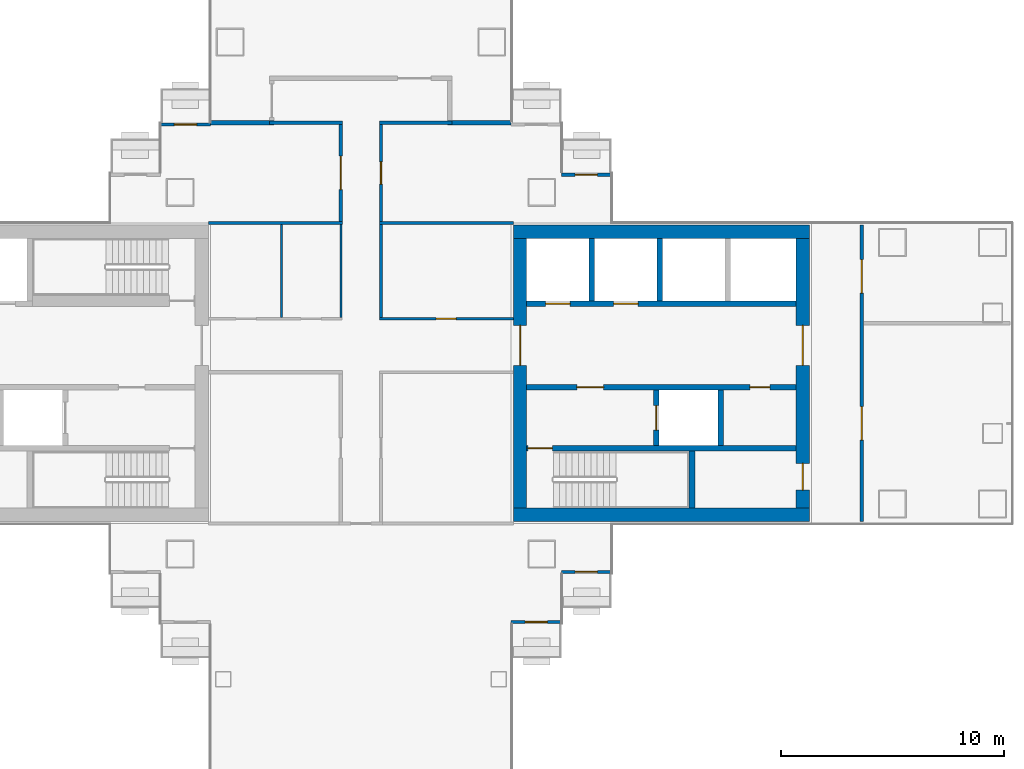
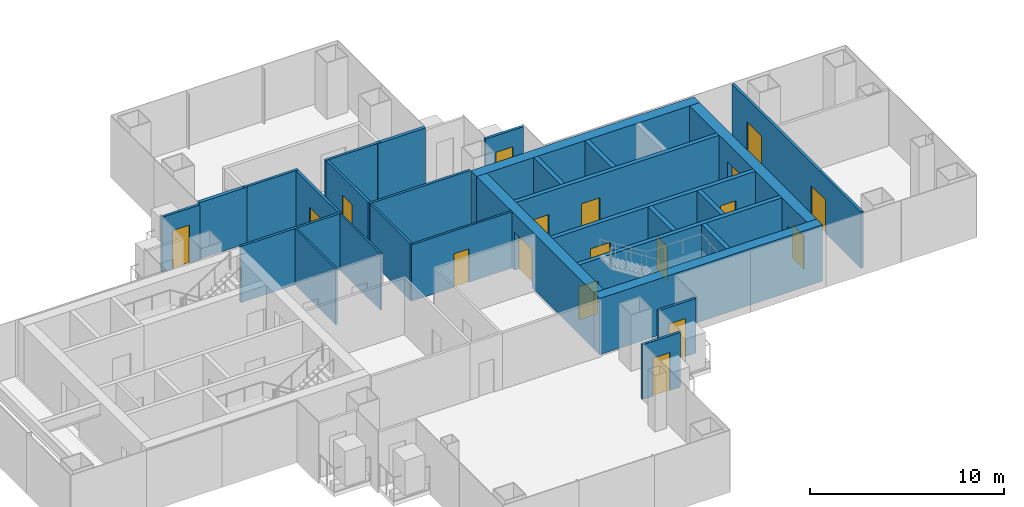
# One storey, part 13 of 20: 29 walls, 18 doors, 18 openings.
"""IFC4 building model written with IfcOpenShell, lengths in metres."""

import ifcopenshell
import ifcopenshell.guid

model = None  # the IFC model being written
_history = None  # IfcOwnerHistory: only IFC2X3 demands one
_inside = {}  # id of a spatial element -> (the spatial element, [elements in it])
_under = {}  # id of a project, library or spatial element -> (it, [spatial elements below it])
_declared = {}  # id of a project -> (the project, [libraries it declares])
_typed = {}  # id of a type object -> (the type object, [elements of that type])
_made_of = {}  # id of a material, layer set ... -> (it, [elements and type objects made of it])


def new_model(schema):
    """Start an empty IFC model of exactly this schema.

    Asked for "IFC4X3", IfcOpenShell would pick the latest addendum, in which some entities
    have other attributes; the version numbers below select the first issue.
    IFC2X3 requires an IfcOwnerHistory on every rooted entity: one is made here for all.
    """
    global model, _history
    if schema == "IFC4X3":
        model = ifcopenshell.file(schema_version=(4, 3, 0, 0))
    else:
        model = ifcopenshell.file(schema=schema)
    _inside.clear()
    _under.clear()
    _declared.clear()
    _typed.clear()
    _made_of.clear()
    _history = None
    if model.schema == "IFC2X3":
        org = make("IfcOrganization", Name="unknown")
        user = make(
            "IfcPersonAndOrganization",
            ThePerson=make("IfcPerson", FamilyName="unknown"),
            TheOrganization=org,
        )
        app = make(
            "IfcApplication",
            ApplicationDeveloper=org,
            Version="unknown",
            ApplicationFullName="unknown",
            ApplicationIdentifier="unknown",
        )
        _history = make(
            "IfcOwnerHistory",
            OwningUser=user,
            OwningApplication=app,
            ChangeAction="ADDED",
            CreationDate=0,
        )
    return model


def make(cls, **values):
    """One entity of the class cls with the attributes given. An attribute that is None is left unset."""
    return model.create_entity(
        cls, **{name: value for name, value in values.items() if value is not None}
    )


def rooted(cls, **values):
    """An entity with a GlobalId (a new one), such as an element, a storey or a relation."""
    return make(cls, GlobalId=ifcopenshell.guid.new(), OwnerHistory=_history, **values)


def si_unit(unit_type, name, prefix=None):
    """IfcSIUnit, for example si_unit("LENGTHUNIT", "METRE", prefix="MILLI")."""
    return make("IfcSIUnit", UnitType=unit_type, Prefix=prefix, Name=name)


def assignment(units):
    """IfcUnitAssignment: the units of a project."""
    return None if units is None else make("IfcUnitAssignment", Units=units)


def point(xyz):
    """IfcCartesianPoint."""
    return None if xyz is None else make("IfcCartesianPoint", Coordinates=xyz)


def direction(xyz):
    """IfcDirection."""
    return None if xyz is None else make("IfcDirection", DirectionRatios=xyz)


def frame(location, z_axis=None, x_axis=None):
    """IfcAxis2Placement3D, a coordinate frame: its origin and axes. An axis left out is left unset."""
    return make(
        "IfcAxis2Placement3D",
        Location=point(location),
        Axis=direction(z_axis),
        RefDirection=direction(x_axis),
    )


def frame_2d(location, x_axis=None):
    """IfcAxis2Placement2D, a coordinate frame in the plane: its origin and x axis."""
    return make(
        "IfcAxis2Placement2D", Location=point(location), RefDirection=direction(x_axis)
    )


def origin():
    """The frame at (0, 0, 0) with its axes left unset."""
    return frame((0.0, 0.0, 0.0))


def place(relative_to, where):
    """IfcLocalPlacement: puts the frame where relative to a parent placement (None: the world)."""
    return make(
        "IfcLocalPlacement", PlacementRelTo=relative_to, RelativePlacement=where
    )


def context(
    kind, dimensions, precision=None, world=None, true_north=None, identifier=None
):
    """IfcGeometricRepresentationContext, for example the 3D "Model" context."""
    return make(
        "IfcGeometricRepresentationContext",
        ContextIdentifier=identifier,
        ContextType=kind,
        CoordinateSpaceDimension=dimensions,
        Precision=precision,
        WorldCoordinateSystem=world,
        TrueNorth=true_north,
    )


def subcontext(parent, identifier, kind, view, scale=None):
    """IfcGeometricRepresentationSubContext, for example "Body" below "Model"."""
    return make(
        "IfcGeometricRepresentationSubContext",
        ContextIdentifier=identifier,
        ContextType=kind,
        ParentContext=parent,
        TargetScale=scale,
        TargetView=view,
    )


def project(units=None, contexts=None):
    """IfcProject with its units and contexts."""
    return rooted(
        "IfcProject",
        Name="project",
        RepresentationContexts=contexts,
        UnitsInContext=assignment(units),
    )


def spatial(cls, under=None, at=None, **own):
    """A site, building, storey or space (cls), placed at a placement, below another one or the project."""
    s = rooted(cls, ObjectPlacement=at, **own)
    if under is not None:
        _under.setdefault(under.id(), (under, []))[1].append(s)
    return s


def profile(cls, at=None, kind="AREA", **sizes):
    """A parametric profile (cls). Its sizes go by their IFC names, for example OverallWidth=200.0."""
    return make(cls, ProfileType=kind, Position=at, **sizes)


def rectangle(**sizes):
    """IfcRectangleProfileDef."""
    return profile("IfcRectangleProfileDef", **sizes)


def extrude(swept, where, along, depth):
    """IfcExtrudedAreaSolid: the profile swept, set in the frame where, extruded along a direction by depth."""
    return make(
        "IfcExtrudedAreaSolid",
        SweptArea=swept,
        Position=where,
        ExtrudedDirection=direction(along),
        Depth=depth,
    )


def shape(context_of_items, identifier, shape_type, items):
    """IfcShapeRepresentation: the items that make up one representation, for example the "Body"."""
    return make(
        "IfcShapeRepresentation",
        ContextOfItems=context_of_items,
        RepresentationIdentifier=identifier,
        RepresentationType=shape_type,
        Items=items,
    )


def material(Name=None, Category=None):
    """IfcMaterial."""
    return make("IfcMaterial", Name=Name, Category=Category)


def layer(
    of_material, thickness, ventilated=None, Name=None, Category=None, Priority=None
):
    """IfcMaterialLayer: one layer of a wall or slab, of a material (None: an air gap)."""
    return make(
        "IfcMaterialLayer",
        Material=of_material,
        LayerThickness=thickness,
        IsVentilated=ventilated,
        Name=Name,
        Category=Category,
        Priority=Priority,
    )


def layer_set(layers, Name=None):
    """IfcMaterialLayerSet."""
    return make("IfcMaterialLayerSet", MaterialLayers=layers, LayerSetName=Name)


def made_of(thing, what):
    """Note that an element or type object is made of a material, layer set ...; save() writes the relation."""
    if what is not None:
        _made_of.setdefault(what.id(), (what, []))[1].append(thing)
    return thing


def type_object(cls, material=None, **own):
    """A type object (cls), such as IfcWallType, which elements share."""
    return made_of(rooted(cls, **own), material)


def element(
    cls,
    number,
    at=None,
    inside=None,
    cuts=None,
    type_object=None,
    material=None,
    context=None,
    identifier="Body",
    shape_type=None,
    held_by="IfcProductDefinitionShape",
    body=None,
    shapes=None,
    **own,
):
    """One element of the class cls, such as IfcWall. Its Tag is "e" and its number.

    at: its placement. inside: the storey or other place that contains it. cuts: it is an
    opening in that element (IfcRelVoidsElement). A single representation is given by context,
    identifier, shape_type and body (its items); several are given by shapes. held_by: the class
    of the entity that holds the representations. save() writes the other relations.
    """
    e = rooted(cls, Tag="e%d" % number, ObjectPlacement=at, **own)
    if body is not None:
        shapes = [shape(context, identifier, shape_type, body)]
    if shapes is not None:
        e.Representation = make(held_by, Representations=shapes)
    if inside is not None:
        _inside.setdefault(inside.id(), (inside, []))[1].append(e)
    if cuts is not None:
        rooted(
            "IfcRelVoidsElement", RelatingBuildingElement=cuts, RelatedOpeningElement=e
        )
    if type_object is not None:
        _typed.setdefault(type_object.id(), (type_object, []))[1].append(e)
    return made_of(e, material)


def fill(opening, filler):
    """IfcRelFillsElement: the door or window that sits in an opening."""
    return rooted(
        "IfcRelFillsElement",
        RelatingOpeningElement=opening,
        RelatedBuildingElement=filler,
    )


def aggregate(whole, parts):
    """IfcRelAggregates: a whole, such as a stair, and the parts it consists of."""
    return rooted("IfcRelAggregates", RelatingObject=whole, RelatedObjects=parts)


def save(model, path):
    """Write the relations noted so far, then the file.

    IfcRelAggregates (storeys below a building ...), IfcRelContainedInSpatialStructure (elements
    in a storey), IfcRelDefinesByType, IfcRelAssociatesMaterial and IfcRelDeclares: one each for
    every whole, place, type object, material and project.
    """
    for whole, parts in _under.values():
        aggregate(whole, parts)
    for where, things in _inside.values():
        rooted(
            "IfcRelContainedInSpatialStructure",
            RelatedElements=things,
            RelatingStructure=where,
        )
    for kind, things in _typed.values():
        rooted("IfcRelDefinesByType", RelatedObjects=things, RelatingType=kind)
    for what, things in _made_of.values():
        rooted("IfcRelAssociatesMaterial", RelatedObjects=things, RelatingMaterial=what)
    for by, libraries in _declared.values():
        rooted("IfcRelDeclares", RelatingContext=by, RelatedDefinitions=libraries)
    model.write(path)


model = new_model("IFC4")

# Units and contexts
model_context = context("Model", 3, precision=1e-05, world=origin(), true_north=direction((0.0, 1.0)))
body_context = subcontext(model_context, "Body", "Model", "MODEL_VIEW")
ifc_project = project(units=[si_unit("LENGTHUNIT", "METRE"), si_unit("AREAUNIT", "SQUARE_METRE"), si_unit("VOLUMEUNIT", "CUBIC_METRE"), si_unit("PLANEANGLEUNIT", "RADIAN"), si_unit("MASSUNIT", "GRAM", prefix="KILO")], contexts=[model_context])

# Site, building, storey
site_placement = place(None, origin())
site = spatial("IfcSite", under=ifc_project, at=site_placement, CompositionType="ELEMENT")
building_placement = place(site_placement, origin())
building = spatial("IfcBuilding", under=site, at=building_placement, Name="Shamsa Quay Exchange Towers", CompositionType="ELEMENT")
storey_placement = place(building_placement, frame((0.0, 0.0, 120.89990234375)))
storey = spatial("IfcBuildingStorey", under=building, at=storey_placement, Name="L28", CompositionType="ELEMENT", Elevation=120.89990234375)

# Walls
ifc_material_1 = material(Name="Double-leaf gypsum board partition with acoustic insulation")
ifc_layer_1 = layer(ifc_material_1, 0.199951171875)
ifc_layer_set_1 = layer_set([ifc_layer_1], Name="Acoustic partition 200 mm EI 60")
wall_type_1 = type_object("IfcWallType", Name="Acoustic partition 200 mm EI 60", PredefinedType="PARTITIONING", material=ifc_layer_set_1)
for number, where, z_axis, x_axis, name in (
    (1, (-27.0, 11.25, 0.0), (0.0, 0.0, 1.0), (-1.0, 0.0, 0.0), "Partition T1-R13-W23"),
    (2, (-37.64990234375, 11.25, 0.0), (0.0, 0.0, 1.0), (-1.0, 0.0, 0.0), "Partition T1-R13-W24"),
):
    element("IfcWall", number, at=place(storey_placement, frame(where, z_axis=z_axis, x_axis=x_axis)), inside=storey, type_object=wall_type_1, Name=name, PredefinedType="PARTITIONING", context=body_context, shape_type="SweptSolid", body=[
        extrude(rectangle(XDim=2.85009765625, YDim=0.199951171875, at=frame_2d((1.425048828125, 0.0))), origin(), (0.0, 0.0, 1.0), 3.550048828125),
    ])

# Wall, opening, door
ifc_material_2 = material(Name="Aluminium EN AW-6063 T6, black anodised, with black enamelled glass infill", Category="aluminium")
ifc_layer_2 = layer(ifc_material_2, 0.14990234375)
ifc_layer_set_2 = layer_set([ifc_layer_2], Name="BALCONY DOOR BAY WALL 150")
wall_type_2 = type_object("IfcWallType", Name="BALCONY DOOR BAY WALL 150", PredefinedType="SOLIDWALL", material=ifc_layer_set_2)
wall_1_placement = place(storey_placement, frame((-24.75, 8.925048828125, 0.0)))
wall_1 = element("IfcWall", 3, at=wall_1_placement, inside=storey, type_object=wall_type_2, Name="Door bay T1-PKEN L28", PredefinedType="SOLIDWALL", context=body_context, shape_type="SweptSolid", body=[
    extrude(rectangle(XDim=2.25, YDim=0.14990234375, at=frame_2d((1.125, 0.0))), origin(), (0.0, 0.0, 1.0), 3.4501953125),
])
opening_1_placement = place(wall_1_placement, frame((0.625, 0.0, 0.0)))
opening_1 = element("IfcOpeningElement", 4, at=opening_1_placement, cuts=wall_1, Name="Opening XD169", PredefinedType="OPENING", context=body_context, shape_type="SweptSolid", body=[
    extrude(rectangle(XDim=1.0, YDim=2.39990234375, at=frame_2d((0.5, 1.199951171875))), frame((0.0, 0.0849609375, 0.0), z_axis=(0.0, -1.0, 0.0), x_axis=(1.0, 0.0, 0.0)), (0.0, 0.0, 1.0), 0.169921875),
])
ifc_material_3 = material(Name="Aluminium EN AW-6063 T6, black anodised, with laminated glass leaf", Category="aluminium")
door_type_1 = type_object("IfcDoorType", Name="BALCONY DOOR 1000x2400", OperationType="SINGLE_SWING_LEFT", PredefinedType="DOOR", material=ifc_material_3)
door_1_placement = place(opening_1_placement, origin())
door_1 = element("IfcDoor", 5, at=door_1_placement, inside=storey, type_object=door_type_1, Name="Balcony door T1-PKEN L28", OperationType="SINGLE_SWING_RIGHT", OverallHeight=2.39990234375, OverallWidth=1.0, PredefinedType="DOOR", context=body_context, shape_type="SweptSolid", body=[
    extrude(rectangle(XDim=1.0, YDim=2.39990234375, at=frame_2d((0.5, 1.199951171875))), frame((0.0, 0.02490234375, 0.0), z_axis=(0.0, -1.0, 0.0), x_axis=(1.0, 0.0, 0.0)), (0.0, 0.0, 1.0), 0.050048828125),
])
fill(opening_1, door_1)

wall_2_placement = place(storey_placement, frame((-22.5, -8.925048828125, 0.0), z_axis=(0.0, 0.0, 1.0), x_axis=(-1.0, 0.0, 0.0)))
wall_2 = element("IfcWall", 6, at=wall_2_placement, inside=storey, type_object=wall_type_2, Name="Door bay T1-PKES L28", PredefinedType="SOLIDWALL", context=body_context, shape_type="SweptSolid", body=[
    extrude(rectangle(XDim=2.25, YDim=0.14990234375, at=frame_2d((1.125, 0.0))), origin(), (0.0, 0.0, 1.0), 3.4501953125),
])
opening_2_placement = place(wall_2_placement, frame((0.625, 0.0, 0.0)))
opening_2 = element("IfcOpeningElement", 7, at=opening_2_placement, cuts=wall_2, Name="Opening XD171", PredefinedType="OPENING", context=body_context, shape_type="SweptSolid", body=[
    extrude(rectangle(XDim=1.0, YDim=2.39990234375, at=frame_2d((0.5, 1.199951171875))), frame((0.0, 0.0849609375, 0.0), z_axis=(0.0, -1.0, 0.0), x_axis=(1.0, 0.0, 0.0)), (0.0, 0.0, 1.0), 0.169921875),
])
door_2_placement = place(opening_2_placement, origin())
door_2 = element("IfcDoor", 8, at=door_2_placement, inside=storey, type_object=door_type_1, Name="Balcony door T1-PKES L28", OperationType="SINGLE_SWING_RIGHT", OverallHeight=2.39990234375, OverallWidth=1.0, PredefinedType="DOOR", context=body_context, shape_type="SweptSolid", body=[
    extrude(rectangle(XDim=1.0, YDim=2.39990234375, at=frame_2d((0.5, 1.199951171875))), frame((0.0, 0.02490234375, 0.0), z_axis=(0.0, -1.0, 0.0), x_axis=(1.0, 0.0, 0.0)), (0.0, 0.0, 1.0), 0.050048828125),
])
fill(opening_2, door_2)

wall_3_placement = place(storey_placement, frame((-24.75, -11.175048828125, 0.0), z_axis=(0.0, 0.0, 1.0), x_axis=(-1.0, 0.0, 0.0)))
wall_3 = element("IfcWall", 9, at=wall_3_placement, inside=storey, type_object=wall_type_2, Name="Door bay T1-PKES L28", PredefinedType="SOLIDWALL", context=body_context, shape_type="SweptSolid", body=[
    extrude(rectangle(XDim=2.25, YDim=0.14990234375, at=frame_2d((1.125, 0.0))), origin(), (0.0, 0.0, 1.0), 3.4501953125),
])
opening_3_placement = place(wall_3_placement, frame((0.625, 0.0, 0.0)))
opening_3 = element("IfcOpeningElement", 10, at=opening_3_placement, cuts=wall_3, Name="Opening XD172", PredefinedType="OPENING", context=body_context, shape_type="SweptSolid", body=[
    extrude(rectangle(XDim=1.0, YDim=2.39990234375, at=frame_2d((0.5, 1.199951171875))), frame((0.0, 0.0849609375, 0.0), z_axis=(0.0, -1.0, 0.0), x_axis=(1.0, 0.0, 0.0)), (0.0, 0.0, 1.0), 0.169921875),
])
door_3_placement = place(opening_3_placement, origin())
door_3 = element("IfcDoor", 11, at=door_3_placement, inside=storey, type_object=door_type_1, Name="Balcony door T1-PKES L28", OperationType="SINGLE_SWING_LEFT", OverallHeight=2.39990234375, OverallWidth=1.0, PredefinedType="DOOR", context=body_context, shape_type="SweptSolid", body=[
    extrude(rectangle(XDim=1.0, YDim=2.39990234375, at=frame_2d((0.5, 1.199951171875))), frame((0.0, 0.02490234375, 0.0), z_axis=(0.0, -1.0, 0.0), x_axis=(1.0, 0.0, 0.0)), (0.0, 0.0, 1.0), 0.050048828125),
])
fill(opening_3, door_3)

wall_4_placement = place(storey_placement, frame((-42.75, 11.175048828125, 0.0)))
wall_4 = element("IfcWall", 12, at=wall_4_placement, inside=storey, type_object=wall_type_2, Name="Door bay T1-PKWN L28", PredefinedType="SOLIDWALL", context=body_context, shape_type="SweptSolid", body=[
    extrude(rectangle(XDim=2.25, YDim=0.14990234375, at=frame_2d((1.125, 0.0))), origin(), (0.0, 0.0, 1.0), 3.4501953125),
])
opening_4_placement = place(wall_4_placement, frame((0.625, 0.0, 0.0)))
opening_4 = element("IfcOpeningElement", 13, at=opening_4_placement, cuts=wall_4, Name="Opening XD173", PredefinedType="OPENING", context=body_context, shape_type="SweptSolid", body=[
    extrude(rectangle(XDim=1.0, YDim=2.39990234375, at=frame_2d((0.5, 1.199951171875))), frame((0.0, 0.0849609375, 0.0), z_axis=(0.0, -1.0, 0.0), x_axis=(1.0, 0.0, 0.0)), (0.0, 0.0, 1.0), 0.169921875),
])
door_4_placement = place(opening_4_placement, origin())
door_4 = element("IfcDoor", 14, at=door_4_placement, inside=storey, type_object=door_type_1, Name="Balcony door T1-PKWN L28", OperationType="SINGLE_SWING_LEFT", OverallHeight=2.39990234375, OverallWidth=1.0, PredefinedType="DOOR", context=body_context, shape_type="SweptSolid", body=[
    extrude(rectangle(XDim=1.0, YDim=2.39990234375, at=frame_2d((0.5, 1.199951171875))), frame((0.0, 0.02490234375, 0.0), z_axis=(0.0, -1.0, 0.0), x_axis=(1.0, 0.0, 0.0)), (0.0, 0.0, 1.0), 0.050048828125),
])
fill(opening_4, door_4)

# Walls
ifc_material_4 = material(Name="Concrete C70/85", Category="concrete")
ifc_layer_3 = layer(ifc_material_4, 0.60009765625)
ifc_layer_set_3 = layer_set([ifc_layer_3], Name="CORE WALL 600 C70/85")
wall_type_3 = type_object("IfcWallType", Name="CORE WALL 600 C70/85", PredefinedType="SHEAR", material=ifc_layer_set_3)
for number, where, name in (
    (15, (-26.89990234375, -6.35009765625, 0.0), "Core wall T1A-R13-PS"),
    (16, (-26.89990234375, 6.35009765625, 0.0), "Core wall T1A-R13-PN"),
):
    element("IfcWall", number, at=place(storey_placement, frame(where)), inside=storey, type_object=wall_type_3, Name=name, PredefinedType="SHEAR", context=body_context, shape_type="SweptSolid", body=[
        extrude(rectangle(XDim=13.2998046875, YDim=0.60009765625, at=frame_2d((6.64990234375, 0.0))), origin(), (0.0, 0.0, 1.0), 3.550048828125),
    ])

# Wall, opening, door
wall_5_placement = place(storey_placement, frame((-26.60009765625, 6.050048828125, 0.0), z_axis=(0.0, 0.0, 1.0), x_axis=(0.0, -1.0, 0.0)))
wall_5 = element("IfcWall", 17, at=wall_5_placement, inside=storey, type_object=wall_type_3, Name="Core wall T1A-R13-PF", PredefinedType="SHEAR", context=body_context, shape_type="SweptSolid", body=[
    extrude(rectangle(XDim=12.10009765625, YDim=0.60009765625, at=frame_2d((6.050048828125, 0.0))), origin(), (0.0, 0.0, 1.0), 3.550048828125),
])
opening_5_placement = place(wall_5_placement, frame((3.89990234375, 0.0, 0.0)))
opening_5 = element("IfcOpeningElement", 18, at=opening_5_placement, cuts=wall_5, Name="Opening T1A-R13-LBD01", PredefinedType="OPENING", context=body_context, shape_type="SweptSolid", body=[
    extrude(rectangle(XDim=1.800048828125, YDim=2.39990234375, at=frame_2d((0.89990234375, 1.199951171875))), frame((0.0, 0.31005859375, 0.0), z_axis=(0.0, -1.0, 0.0), x_axis=(1.0, 0.0, 0.0)), (0.0, 0.0, 1.0), 0.6201171875),
])
ifc_material_5 = material(Name="Steel, fire rated", Category="steel")
door_type_2 = type_object("IfcDoorType", Name="LIFT LOBBY DOOR PAIR 1800", OperationType="DOUBLE_DOOR_SINGLE_SWING", PredefinedType="DOOR", material=ifc_material_5)
door_5_placement = place(opening_5_placement, origin())
door_5 = element("IfcDoor", 19, at=door_5_placement, inside=storey, type_object=door_type_2, Name="T1A-R13-LBD01", OperationType="DOUBLE_DOOR_SINGLE_SWING", OverallHeight=2.39990234375, OverallWidth=1.800048828125, PredefinedType="DOOR", context=body_context, shape_type="SweptSolid", body=[
    extrude(rectangle(XDim=1.800048828125, YDim=2.39990234375, at=frame_2d((0.89990234375, 1.199951171875))), frame((0.0, 0.02490234375, 0.0), z_axis=(0.0, -1.0, 0.0), x_axis=(1.0, 0.0, 0.0)), (0.0, 0.0, 1.0), 0.050048828125),
])
fill(opening_5, door_5)

# Wall, openings, doors
wall_6_placement = place(storey_placement, frame((-13.89990234375, 6.050048828125, 0.0), z_axis=(0.0, 0.0, 1.0), x_axis=(0.0, -1.0, 0.0)))
wall_6 = element("IfcWall", 20, at=wall_6_placement, inside=storey, type_object=wall_type_3, Name="Core wall T1A-R13-PB", PredefinedType="SHEAR", context=body_context, shape_type="SweptSolid", body=[
    extrude(rectangle(XDim=12.10009765625, YDim=0.60009765625, at=frame_2d((6.050048828125, 0.0))), origin(), (0.0, 0.0, 1.0), 3.550048828125),
])
opening_6_placement = place(wall_6_placement, frame((10.10009765625, 0.0, 0.0)))
opening_6 = element("IfcOpeningElement", 21, at=opening_6_placement, cuts=wall_6, Name="Opening T1A-R13-RD02", PredefinedType="OPENING", context=body_context, shape_type="SweptSolid", body=[
    extrude(rectangle(XDim=1.199951171875, YDim=2.10009765625, at=frame_2d((0.60009765625, 1.050048828125))), frame((0.0, 0.31005859375, 0.0), z_axis=(0.0, -1.0, 0.0), x_axis=(1.0, 0.0, 0.0)), (0.0, 0.0, 1.0), 0.6201171875),
])
opening_7_placement = place(wall_6_placement, frame((3.89990234375, 0.0, 0.0)))
opening_7 = element("IfcOpeningElement", 22, at=opening_7_placement, cuts=wall_6, Name="Opening T1A-R13-LBD03", PredefinedType="OPENING", context=body_context, shape_type="SweptSolid", body=[
    extrude(rectangle(XDim=1.800048828125, YDim=2.39990234375, at=frame_2d((0.89990234375, 1.199951171875))), frame((0.0, 0.31005859375, 0.0), z_axis=(0.0, -1.0, 0.0), x_axis=(1.0, 0.0, 0.0)), (0.0, 0.0, 1.0), 0.6201171875),
])
door_6_placement = place(opening_7_placement, origin())
door_6 = element("IfcDoor", 23, at=door_6_placement, inside=storey, type_object=door_type_2, Name="T1A-R13-LBD03", OperationType="DOUBLE_DOOR_SINGLE_SWING", OverallHeight=2.39990234375, OverallWidth=1.800048828125, PredefinedType="DOOR", context=body_context, shape_type="SweptSolid", body=[
    extrude(rectangle(XDim=1.800048828125, YDim=2.39990234375, at=frame_2d((0.89990234375, 1.199951171875))), frame((0.0, 0.02490234375, 0.0), z_axis=(0.0, -1.0, 0.0), x_axis=(1.0, 0.0, 0.0)), (0.0, 0.0, 1.0), 0.050048828125),
])
fill(opening_7, door_6)
door_type_3 = type_object("IfcDoorType", Name="RISER ACCESS DOOR 1200", OperationType="SINGLE_SWING_LEFT", PredefinedType="DOOR", material=ifc_material_5)
door_7_placement = place(opening_6_placement, origin())
door_7 = element("IfcDoor", 24, at=door_7_placement, inside=storey, type_object=door_type_3, Name="T1A-R13-RD02", OperationType="SINGLE_SWING_RIGHT", OverallHeight=2.10009765625, OverallWidth=1.199951171875, PredefinedType="DOOR", context=body_context, shape_type="SweptSolid", body=[
    extrude(rectangle(XDim=1.199951171875, YDim=2.10009765625, at=frame_2d((0.60009765625, 1.050048828125))), frame((0.0, 0.02490234375, 0.0), z_axis=(0.0, -1.0, 0.0), x_axis=(1.0, 0.0, 0.0)), (0.0, 0.0, 1.0), 0.050048828125),
])
fill(opening_6, door_7)

# Wall
ifc_material_6 = material(Name="Laminated fire-resisting glass in a metal frame", Category="glass")
ifc_layer_4 = layer(ifc_material_6, 0.125)
ifc_layer_set_4 = layer_set([ifc_layer_4], Name="Glazed partition 125 mm EI 60")
wall_type_4 = type_object("IfcWallType", Name="Glazed partition 125 mm EI 60", PredefinedType="PARTITIONING", material=ifc_layer_set_4)
wall_7_placement = place(storey_placement, frame((-32.849609375, 6.675048828125, 0.0), z_axis=(0.0, 0.0, 1.0), x_axis=(0.0, -1.0, 0.0)))
element("IfcWall", 25, at=wall_7_placement, inside=storey, type_object=wall_type_4, Name="Partition T1-R13-W01", PredefinedType="PARTITIONING", context=body_context, shape_type="SweptSolid", body=[
    extrude(rectangle(XDim=4.162353515625, YDim=0.125, at=frame_2d((2.0810546875, 0.0))), origin(), (0.0, 0.0, 1.0), 3.550048828125),
])

# Wall, opening, door
wall_8_placement = place(storey_placement, frame((-32.912109375, 2.4501953125, 0.0)))
wall_8 = element("IfcWall", 26, at=wall_8_placement, inside=storey, type_object=wall_type_4, Name="Partition T1-R13-W03", PredefinedType="PARTITIONING", context=body_context, shape_type="SweptSolid", body=[
    extrude(rectangle(XDim=6.01220703125, YDim=0.125, at=frame_2d((3.006103515625, 0.0))), origin(), (0.0, 0.0, 1.0), 3.550048828125),
])
opening_8_placement = place(wall_8_placement, frame((2.537353515625, 0.0, 0.0)))
opening_8 = element("IfcOpeningElement", 27, at=opening_8_placement, cuts=wall_8, Name="Opening T1-R13-D08", PredefinedType="OPENING", context=body_context, shape_type="SweptSolid", body=[
    extrude(rectangle(XDim=0.89990234375, YDim=2.10009765625, at=frame_2d((0.449951171875, 1.050048828125))), frame((0.0, 0.072509765625, 0.0), z_axis=(0.0, -1.0, 0.0), x_axis=(1.0, 0.0, 0.0)), (0.0, 0.0, 1.0), 0.14501953125),
])
ifc_material_7 = material(Name="Timber door leaf in a metal frame", Category="wood")
door_type_4 = type_object("IfcDoorType", Name="Door 900x2100 FD30S", OperationType="NOTDEFINED", PredefinedType="DOOR", material=ifc_material_7)
door_8_placement = place(opening_8_placement, origin())
door_8 = element("IfcDoor", 28, at=door_8_placement, inside=storey, type_object=door_type_4, Name="Door T1-R13-D08", OperationType="SINGLE_SWING_RIGHT", OverallHeight=2.10009765625, OverallWidth=0.89990234375, PredefinedType="DOOR", context=body_context, shape_type="SweptSolid", body=[
    extrude(rectangle(XDim=0.89990234375, YDim=2.10009765625, at=frame_2d((0.449951171875, 1.050048828125))), frame((0.0, 0.02490234375, 0.0), z_axis=(0.0, -1.0, 0.0), x_axis=(1.0, 0.0, 0.0)), (0.0, 0.0, 1.0), 0.050048828125),
])
fill(opening_8, door_8)

# Walls
ifc_material_8 = material(Name="Gypsum board partition on metal studs")
ifc_layer_5 = layer(ifc_material_8, 0.10009765625)
ifc_layer_set_5 = layer_set([ifc_layer_5], Name="Partition 100 mm NOT RATED")
wall_type_5 = type_object("IfcWallType", Name="Partition 100 mm NOT RATED", PredefinedType="PARTITIONING", material=ifc_layer_set_5)
for number, where, z_axis, x_axis, name in (
    (29, (-34.650390625, 2.500244140625, 0.0), (0.0, 0.0, 1.0), (0.0, 1.0, 0.0), "Partition T1-R13-W06"),
    (30, (-37.3125, 2.500244140625, 0.0), (0.0, 0.0, 1.0), (0.0, 1.0, 0.0), "Partition T1-R13-W22"),
):
    element("IfcWall", number, at=place(storey_placement, frame(where, z_axis=z_axis, x_axis=x_axis)), inside=storey, type_object=wall_type_5, Name=name, PredefinedType="PARTITIONING", context=body_context, shape_type="SweptSolid", body=[
        extrude(rectangle(XDim=4.1748046875, YDim=0.10009765625, at=frame_2d((2.08740234375, 0.0))), origin(), (0.0, 0.0, 1.0), 3.550048828125),
    ])

# Wall, opening, door
ifc_layer_6 = layer(ifc_material_8, 0.14990234375)
ifc_layer_set_6 = layer_set([ifc_layer_6], Name="Partition 150 mm EI 60")
wall_type_6 = type_object("IfcWallType", Name="Partition 150 mm EI 60", PredefinedType="PARTITIONING", material=ifc_layer_set_6)
wall_9_placement = place(storey_placement, frame((-34.650390625, 6.824951171875, 0.0), z_axis=(0.0, 0.0, 1.0), x_axis=(0.0, 1.0, 0.0)))
wall_9 = element("IfcWall", 31, at=wall_9_placement, inside=storey, type_object=wall_type_6, Name="Partition T1-R13-W08", PredefinedType="PARTITIONING", context=body_context, shape_type="SweptSolid", body=[
    extrude(rectangle(XDim=4.35009765625, YDim=0.14990234375, at=frame_2d((2.175048828125, 0.0))), origin(), (0.0, 0.0, 1.0), 3.550048828125),
])
opening_9_placement = place(wall_9_placement, frame((1.425048828125, 0.0, 0.0)))
opening_9 = element("IfcOpeningElement", 32, at=opening_9_placement, cuts=wall_9, Name="Opening T1-R13-D05", PredefinedType="OPENING", context=body_context, shape_type="SweptSolid", body=[
    extrude(rectangle(XDim=1.5, YDim=2.10009765625, at=frame_2d((0.75, 1.050048828125))), frame((0.0, 0.0849609375, 0.0), z_axis=(0.0, -1.0, 0.0), x_axis=(1.0, 0.0, 0.0)), (0.0, 0.0, 1.0), 0.169921875),
])
door_type_5 = type_object("IfcDoorType", Name="Door 1500x2100 FD30S pair", OperationType="NOTDEFINED", PredefinedType="DOOR", material=ifc_material_7)
door_9_placement = place(opening_9_placement, origin())
door_9 = element("IfcDoor", 33, at=door_9_placement, inside=storey, type_object=door_type_5, Name="Door T1-R13-D05", OperationType="DOUBLE_DOOR_SINGLE_SWING", OverallHeight=2.10009765625, OverallWidth=1.5, PredefinedType="DOOR", context=body_context, shape_type="SweptSolid", body=[
    extrude(rectangle(XDim=1.5, YDim=2.10009765625, at=frame_2d((0.75, 1.050048828125))), frame((0.0, 0.02490234375, 0.0), z_axis=(0.0, -1.0, 0.0), x_axis=(1.0, 0.0, 0.0)), (0.0, 0.0, 1.0), 0.050048828125),
])
fill(opening_9, door_9)

# Walls
for number, where, z_axis, x_axis, name in (
    (34, (-29.64990234375, 11.25, 0.0), (0.0, 0.0, 1.0), (-1.0, 0.0, 0.0), "Partition T1-R13-W10"),
    (35, (-34.575439453125, 11.25, 0.0), (0.0, 0.0, 1.0), (-1.0, 0.0, 0.0), "Partition T1-R13-W11"),
):
    element("IfcWall", number, at=place(storey_placement, frame(where, z_axis=z_axis, x_axis=x_axis)), inside=storey, type_object=wall_type_6, Name=name, PredefinedType="PARTITIONING", context=body_context, shape_type="SweptSolid", body=[
        extrude(rectangle(XDim=3.274658203125, YDim=0.14990234375, at=frame_2d((1.63720703125, 0.0))), origin(), (0.0, 0.0, 1.0), 3.550048828125),
    ])

# Wall, opening, door
wall_10_placement = place(storey_placement, frame((-32.849609375, 11.175048828125, 0.0), z_axis=(0.0, 0.0, 1.0), x_axis=(0.0, -1.0, 0.0)))
wall_10 = element("IfcWall", 36, at=wall_10_placement, inside=storey, type_object=wall_type_6, Name="Partition T1-R13-W12", PredefinedType="PARTITIONING", context=body_context, shape_type="SweptSolid", body=[
    extrude(rectangle(XDim=4.35009765625, YDim=0.14990234375, at=frame_2d((2.175048828125, 0.0))), origin(), (0.0, 0.0, 1.0), 3.550048828125),
])
opening_10_placement = place(wall_10_placement, frame((1.675048828125, 0.0, 0.0)))
opening_10 = element("IfcOpeningElement", 37, at=opening_10_placement, cuts=wall_10, Name="Opening T1-R13-D09", PredefinedType="OPENING", context=body_context, shape_type="SweptSolid", body=[
    extrude(rectangle(XDim=1.0, YDim=2.39990234375, at=frame_2d((0.5, 1.199951171875))), frame((0.0, 0.0849609375, 0.0), z_axis=(0.0, -1.0, 0.0), x_axis=(1.0, 0.0, 0.0)), (0.0, 0.0, 1.0), 0.169921875),
])
door_type_6 = type_object("IfcDoorType", Name="Door 1000x2400 FD30S", OperationType="NOTDEFINED", PredefinedType="DOOR", material=ifc_material_7)
door_10_placement = place(opening_10_placement, origin())
door_10 = element("IfcDoor", 38, at=door_10_placement, inside=storey, type_object=door_type_6, Name="Door T1-R13-D09", OperationType="SINGLE_SWING_LEFT", OverallHeight=2.39990234375, OverallWidth=1.0, PredefinedType="DOOR", context=body_context, shape_type="SweptSolid", body=[
    extrude(rectangle(XDim=1.0, YDim=2.39990234375, at=frame_2d((0.5, 1.199951171875))), frame((0.0, 0.02490234375, 0.0), z_axis=(0.0, -1.0, 0.0), x_axis=(1.0, 0.0, 0.0)), (0.0, 0.0, 1.0), 0.050048828125),
])
fill(opening_10, door_10)

# Wall, openings, doors
wall_11_placement = place(storey_placement, frame((-11.25, 6.655029296875, 0.0), z_axis=(0.0, 0.0, 1.0), x_axis=(0.0, -1.0, 0.0)))
wall_11 = element("IfcWall", 39, at=wall_11_placement, inside=storey, type_object=wall_type_6, Name="Partition T1-R13-W17", PredefinedType="PARTITIONING", context=body_context, shape_type="SweptSolid", body=[
    extrude(rectangle(XDim=13.31005859375, YDim=0.14990234375, at=frame_2d((6.655029296875, 0.0))), origin(), (0.0, 0.0, 1.0), 3.550048828125),
])
opening_11_placement = place(wall_11_placement, frame((1.554931640625, 0.0, 0.0)))
opening_11 = element("IfcOpeningElement", 40, at=opening_11_placement, cuts=wall_11, Name="Opening T1-R13-D11", PredefinedType="OPENING", context=body_context, shape_type="SweptSolid", body=[
    extrude(rectangle(XDim=1.5, YDim=2.10009765625, at=frame_2d((0.75, 1.050048828125))), frame((0.0, 0.0849609375, 0.0), z_axis=(0.0, -1.0, 0.0), x_axis=(1.0, 0.0, 0.0)), (0.0, 0.0, 1.0), 0.169921875),
])
opening_12_placement = place(wall_11_placement, frame((8.155029296875, 0.0, 0.0)))
opening_12 = element("IfcOpeningElement", 41, at=opening_12_placement, cuts=wall_11, Name="Opening T1-R13-D12", PredefinedType="OPENING", context=body_context, shape_type="SweptSolid", body=[
    extrude(rectangle(XDim=1.5, YDim=2.10009765625, at=frame_2d((0.75, 1.050048828125))), frame((0.0, 0.0849609375, 0.0), z_axis=(0.0, -1.0, 0.0), x_axis=(1.0, 0.0, 0.0)), (0.0, 0.0, 1.0), 0.169921875),
])
door_11_placement = place(opening_11_placement, origin())
door_11 = element("IfcDoor", 42, at=door_11_placement, inside=storey, type_object=door_type_5, Name="Door T1-R13-D11", OperationType="DOUBLE_DOOR_SINGLE_SWING", OverallHeight=2.10009765625, OverallWidth=1.5, PredefinedType="DOOR", context=body_context, shape_type="SweptSolid", body=[
    extrude(rectangle(XDim=1.5, YDim=2.10009765625, at=frame_2d((0.75, 1.050048828125))), frame((0.0, 0.02490234375, 0.0), z_axis=(0.0, -1.0, 0.0), x_axis=(1.0, 0.0, 0.0)), (0.0, 0.0, 1.0), 0.050048828125),
])
fill(opening_11, door_11)
door_12_placement = place(opening_12_placement, origin())
door_12 = element("IfcDoor", 43, at=door_12_placement, inside=storey, type_object=door_type_5, Name="Door T1-R13-D12", OperationType="DOUBLE_DOOR_SINGLE_SWING", OverallHeight=2.10009765625, OverallWidth=1.5, PredefinedType="DOOR", context=body_context, shape_type="SweptSolid", body=[
    extrude(rectangle(XDim=1.5, YDim=2.10009765625, at=frame_2d((0.75, 1.050048828125))), frame((0.0, 0.02490234375, 0.0), z_axis=(0.0, -1.0, 0.0), x_axis=(1.0, 0.0, 0.0)), (0.0, 0.0, 1.0), 0.050048828125),
])
fill(opening_12, door_12)

# Walls
for number, where, z_axis, x_axis, name in (
    (44, (-26.89990234375, 6.75, 0.0), (0.0, 0.0, 1.0), (-1.0, 0.0, 0.0), "Partition T1-R13-W18"),
    (45, (-34.575439453125, 6.75, 0.0), (0.0, 0.0, 1.0), (-1.0, 0.0, 0.0), "Partition T1-R13-W19"),
):
    element("IfcWall", number, at=place(storey_placement, frame(where, z_axis=z_axis, x_axis=x_axis)), inside=storey, type_object=wall_type_6, Name=name, PredefinedType="PARTITIONING", context=body_context, shape_type="SweptSolid", body=[
        extrude(rectangle(XDim=6.024658203125, YDim=0.14990234375, at=frame_2d((3.01220703125, 0.0))), origin(), (0.0, 0.0, 1.0), 3.550048828125),
    ])

# Wall, opening, door
ifc_material_9 = material(Name="Concrete C50/60", Category="concrete")
ifc_layer_7 = layer(ifc_material_9, 0.25)
ifc_layer_set_7 = layer_set([ifc_layer_7], Name="SHAFT WALL 250 C50/60")
wall_type_7 = type_object("IfcWallType", Name="SHAFT WALL 250 C50/60", PredefinedType="SHEAR", material=ifc_layer_set_7)
wall_12_placement = place(storey_placement, frame((-14.199951171875, -3.375, 0.0), z_axis=(0.0, 0.0, 1.0), x_axis=(-1.0, 0.0, 0.0)))
wall_12 = element("IfcWall", 46, at=wall_12_placement, inside=storey, type_object=wall_type_7, Name="Shaft wall T1A-R13-STL", PredefinedType="SHEAR", context=body_context, shape_type="SweptSolid", body=[
    extrude(rectangle(XDim=12.10009765625, YDim=0.25, at=frame_2d((6.050048828125, 0.0))), origin(), (0.0, 0.0, 1.0), 3.550048828125),
])
opening_13_placement = place(wall_12_placement, frame((10.949951171875, 0.0, 0.0)))
opening_13 = element("IfcOpeningElement", 47, at=opening_13_placement, cuts=wall_12, Name="Opening T1A-R13-SD04", PredefinedType="OPENING", context=body_context, shape_type="SweptSolid", body=[
    extrude(rectangle(XDim=1.10009765625, YDim=2.10009765625, at=frame_2d((0.550048828125, 1.050048828125))), frame((0.0, 0.135009765625, 0.0), z_axis=(0.0, -1.0, 0.0), x_axis=(1.0, 0.0, 0.0)), (0.0, 0.0, 1.0), 0.27001953125),
])
door_type_7 = type_object("IfcDoorType", Name="STAIR DOOR 1100", OperationType="SINGLE_SWING_LEFT", PredefinedType="DOOR", material=ifc_material_5)
door_13_placement = place(opening_13_placement, origin())
door_13 = element("IfcDoor", 48, at=door_13_placement, inside=storey, type_object=door_type_7, Name="T1A-R13-SD04", OperationType="SINGLE_SWING_RIGHT", OverallHeight=2.10009765625, OverallWidth=1.10009765625, PredefinedType="DOOR", context=body_context, shape_type="SweptSolid", body=[
    extrude(rectangle(XDim=1.10009765625, YDim=2.10009765625, at=frame_2d((0.550048828125, 1.050048828125))), frame((0.0, 0.02490234375, 0.0), z_axis=(0.0, -1.0, 0.0), x_axis=(1.0, 0.0, 0.0)), (0.0, 0.0, 1.0), 0.050048828125),
])
fill(opening_13, door_13)

# Wall
wall_13_placement = place(storey_placement, frame((-18.875, -6.050048828125, 0.0), z_axis=(0.0, 0.0, 1.0), x_axis=(0.0, 1.0, 0.0)))
element("IfcWall", 49, at=wall_13_placement, inside=storey, type_object=wall_type_7, Name="Shaft wall T1A-R13-STF", PredefinedType="SHEAR", context=body_context, shape_type="SweptSolid", body=[
    extrude(rectangle(XDim=2.550048828125, YDim=0.25, at=frame_2d((1.27490234375, 0.0))), origin(), (0.0, 0.0, 1.0), 3.550048828125),
])

# Wall, openings, doors
wall_14_placement = place(storey_placement, frame((-14.199951171875, -0.625, 0.0), z_axis=(0.0, 0.0, 1.0), x_axis=(-1.0, 0.0, 0.0)))
wall_14 = element("IfcWall", 50, at=wall_14_placement, inside=storey, type_object=wall_type_7, Name="Shaft wall T1A-R13-B", PredefinedType="SHEAR", context=body_context, shape_type="SweptSolid", body=[
    extrude(rectangle(XDim=12.10009765625, YDim=0.25, at=frame_2d((6.050048828125, 0.0))), origin(), (0.0, 0.0, 1.0), 3.550048828125),
])
opening_14_placement = place(wall_14_placement, frame((8.64990234375, 0.0, 0.0)))
opening_14 = element("IfcOpeningElement", 51, at=opening_14_placement, cuts=wall_14, Name="Opening T1A-R13-FD05", PredefinedType="OPENING", context=body_context, shape_type="SweptSolid", body=[
    extrude(rectangle(XDim=1.199951171875, YDim=2.10009765625, at=frame_2d((0.60009765625, 1.050048828125))), frame((0.0, 0.135009765625, 0.0), z_axis=(0.0, -1.0, 0.0), x_axis=(1.0, 0.0, 0.0)), (0.0, 0.0, 1.0), 0.27001953125),
])
opening_15_placement = place(wall_14_placement, frame((1.175048828125, 0.0, 0.0)))
opening_15 = element("IfcOpeningElement", 52, at=opening_15_placement, cuts=wall_14, Name="Opening T1A-R13-SV06", PredefinedType="OPENING", context=body_context, shape_type="SweptSolid", body=[
    extrude(rectangle(XDim=0.89990234375, YDim=2.10009765625, at=frame_2d((0.449951171875, 1.050048828125))), frame((0.0, 0.135009765625, 0.0), z_axis=(0.0, -1.0, 0.0), x_axis=(1.0, 0.0, 0.0)), (0.0, 0.0, 1.0), 0.27001953125),
])
door_type_8 = type_object("IfcDoorType", Name="FIRE SERVICE LOBBY DOOR 1200", OperationType="SINGLE_SWING_LEFT", PredefinedType="DOOR", material=ifc_material_5)
door_14_placement = place(opening_14_placement, origin())
door_14 = element("IfcDoor", 53, at=door_14_placement, inside=storey, type_object=door_type_8, Name="T1A-R13-FD05", OperationType="SINGLE_SWING_RIGHT", OverallHeight=2.10009765625, OverallWidth=1.199951171875, PredefinedType="DOOR", context=body_context, shape_type="SweptSolid", body=[
    extrude(rectangle(XDim=1.199951171875, YDim=2.10009765625, at=frame_2d((0.60009765625, 1.050048828125))), frame((0.0, 0.02490234375, 0.0), z_axis=(0.0, -1.0, 0.0), x_axis=(1.0, 0.0, 0.0)), (0.0, 0.0, 1.0), 0.050048828125),
])
fill(opening_14, door_14)
door_type_9 = type_object("IfcDoorType", Name="SERVICE ROOM DOOR 900", OperationType="SINGLE_SWING_LEFT", PredefinedType="DOOR", material=ifc_material_5)
door_15_placement = place(opening_15_placement, origin())
door_15 = element("IfcDoor", 54, at=door_15_placement, inside=storey, type_object=door_type_9, Name="T1A-R13-SV06", OperationType="SINGLE_SWING_LEFT", OverallHeight=2.10009765625, OverallWidth=0.89990234375, PredefinedType="DOOR", context=body_context, shape_type="SweptSolid", body=[
    extrude(rectangle(XDim=0.89990234375, YDim=2.10009765625, at=frame_2d((0.449951171875, 1.050048828125))), frame((0.0, 0.02490234375, 0.0), z_axis=(0.0, -1.0, 0.0), x_axis=(1.0, 0.0, 0.0)), (0.0, 0.0, 1.0), 0.050048828125),
])
fill(opening_15, door_15)

# Wall, opening, door
wall_15_placement = place(storey_placement, frame((-20.47509765625, -3.25, 0.0), z_axis=(0.0, 0.0, 1.0), x_axis=(0.0, 1.0, 0.0)))
wall_15 = element("IfcWall", 55, at=wall_15_placement, inside=storey, type_object=wall_type_7, Name="Shaft wall T1A-R13-FFF", PredefinedType="SHEAR", context=body_context, shape_type="SweptSolid", body=[
    extrude(rectangle(XDim=2.5, YDim=0.25, at=frame_2d((1.25, 0.0))), origin(), (0.0, 0.0, 1.0), 3.550048828125),
])
opening_16_placement = place(wall_15_placement, frame((0.699951171875, 0.0, 0.0)))
opening_16 = element("IfcOpeningElement", 56, at=opening_16_placement, cuts=wall_15, Name="Opening T1A-R13-LDF07", PredefinedType="OPENING", context=body_context, shape_type="SweptSolid", body=[
    extrude(rectangle(XDim=1.10009765625, YDim=2.10009765625, at=frame_2d((0.550048828125, 1.050048828125))), frame((0.0, 0.135009765625, 0.0), z_axis=(0.0, -1.0, 0.0), x_axis=(1.0, 0.0, 0.0)), (0.0, 0.0, 1.0), 0.27001953125),
])
door_type_10 = type_object("IfcDoorType", Name="FIRE SERVICE LANDING DOOR 1100", OperationType="SLIDING_TO_LEFT", PredefinedType="DOOR", material=ifc_material_5)
door_16_placement = place(opening_16_placement, origin())
door_16 = element("IfcDoor", 57, at=door_16_placement, inside=storey, type_object=door_type_10, Name="T1A-R13-LDF07", OperationType="SLIDING_TO_LEFT", OverallHeight=2.10009765625, OverallWidth=1.10009765625, PredefinedType="DOOR", context=body_context, shape_type="SweptSolid", body=[
    extrude(rectangle(XDim=1.10009765625, YDim=2.10009765625, at=frame_2d((0.550048828125, 1.050048828125))), frame((0.0, 0.02490234375, 0.0), z_axis=(0.0, -1.0, 0.0), x_axis=(1.0, 0.0, 0.0)), (0.0, 0.0, 1.0), 0.050048828125),
])
fill(opening_16, door_16)

# Wall
wall_16_placement = place(storey_placement, frame((-17.574951171875, -3.25, 0.0), z_axis=(0.0, 0.0, 1.0), x_axis=(0.0, 1.0, 0.0)))
element("IfcWall", 58, at=wall_16_placement, inside=storey, type_object=wall_type_7, Name="Shaft wall T1A-R13-FFB", PredefinedType="SHEAR", context=body_context, shape_type="SweptSolid", body=[
    extrude(rectangle(XDim=2.5, YDim=0.25, at=frame_2d((1.25, 0.0))), origin(), (0.0, 0.0, 1.0), 3.550048828125),
])

# Wall, openings, doors
wall_17_placement = place(storey_placement, frame((-26.300048828125, 3.125, 0.0)))
wall_17 = element("IfcWall", 59, at=wall_17_placement, inside=storey, type_object=wall_type_7, Name="Shaft wall T1A-R13-N", PredefinedType="SHEAR", context=body_context, shape_type="SweptSolid", body=[
    extrude(rectangle(XDim=12.10009765625, YDim=0.25, at=frame_2d((6.050048828125, 0.0))), origin(), (0.0, 0.0, 1.0), 3.550048828125),
])
opening_17_placement = place(wall_17_placement, frame((0.85009765625, 0.0, 0.0)))
opening_17 = element("IfcOpeningElement", 60, at=opening_17_placement, cuts=wall_17, Name="Opening T1A-R13-LD08", PredefinedType="OPENING", context=body_context, shape_type="SweptSolid", body=[
    extrude(rectangle(XDim=1.10009765625, YDim=2.10009765625, at=frame_2d((0.550048828125, 1.050048828125))), frame((0.0, 0.135009765625, 0.0), z_axis=(0.0, -1.0, 0.0), x_axis=(1.0, 0.0, 0.0)), (0.0, 0.0, 1.0), 0.27001953125),
])
opening_18_placement = place(wall_17_placement, frame((3.89990234375, 0.0, 0.0)))
opening_18 = element("IfcOpeningElement", 61, at=opening_18_placement, cuts=wall_17, Name="Opening T1A-R13-LD09", PredefinedType="OPENING", context=body_context, shape_type="SweptSolid", body=[
    extrude(rectangle(XDim=1.10009765625, YDim=2.10009765625, at=frame_2d((0.550048828125, 1.050048828125))), frame((0.0, 0.135009765625, 0.0), z_axis=(0.0, -1.0, 0.0), x_axis=(1.0, 0.0, 0.0)), (0.0, 0.0, 1.0), 0.27001953125),
])
door_type_11 = type_object("IfcDoorType", Name="LANDING DOOR 1100", OperationType="SLIDING_TO_LEFT", PredefinedType="DOOR", material=ifc_material_5)
door_17_placement = place(opening_17_placement, origin())
door_17 = element("IfcDoor", 62, at=door_17_placement, inside=storey, type_object=door_type_11, Name="T1A-R13-LD08", OperationType="SLIDING_TO_LEFT", OverallHeight=2.10009765625, OverallWidth=1.10009765625, PredefinedType="DOOR", context=body_context, shape_type="SweptSolid", body=[
    extrude(rectangle(XDim=1.10009765625, YDim=2.10009765625, at=frame_2d((0.550048828125, 1.050048828125))), frame((0.0, 0.02490234375, 0.0), z_axis=(0.0, -1.0, 0.0), x_axis=(1.0, 0.0, 0.0)), (0.0, 0.0, 1.0), 0.050048828125),
])
fill(opening_17, door_17)
door_18_placement = place(opening_18_placement, origin())
door_18 = element("IfcDoor", 63, at=door_18_placement, inside=storey, type_object=door_type_11, Name="T1A-R13-LD09", OperationType="SLIDING_TO_LEFT", OverallHeight=2.10009765625, OverallWidth=1.10009765625, PredefinedType="DOOR", context=body_context, shape_type="SweptSolid", body=[
    extrude(rectangle(XDim=1.10009765625, YDim=2.10009765625, at=frame_2d((0.550048828125, 1.050048828125))), frame((0.0, 0.02490234375, 0.0), z_axis=(0.0, -1.0, 0.0), x_axis=(1.0, 0.0, 0.0)), (0.0, 0.0, 1.0), 0.050048828125),
])
fill(opening_18, door_18)

# Walls
for number, where, z_axis, x_axis, name in (
    (64, (-23.375, 3.25, 0.0), (0.0, 0.0, 1.0), (0.0, 1.0, 0.0), "Shaft wall T1A-R13-D0"),
    (65, (-20.324951171875, 3.25, 0.0), (0.0, 0.0, 1.0), (0.0, 1.0, 0.0), "Shaft wall T1A-R13-D1"),
):
    element("IfcWall", number, at=place(storey_placement, frame(where, z_axis=z_axis, x_axis=x_axis)), inside=storey, type_object=wall_type_7, Name=name, PredefinedType="SHEAR", context=body_context, shape_type="SweptSolid", body=[
        extrude(rectangle(XDim=2.800048828125, YDim=0.25, at=frame_2d((1.39990234375, 0.0))), origin(), (0.0, 0.0, 1.0), 3.550048828125),
    ])

save(model, "model.ifc")
